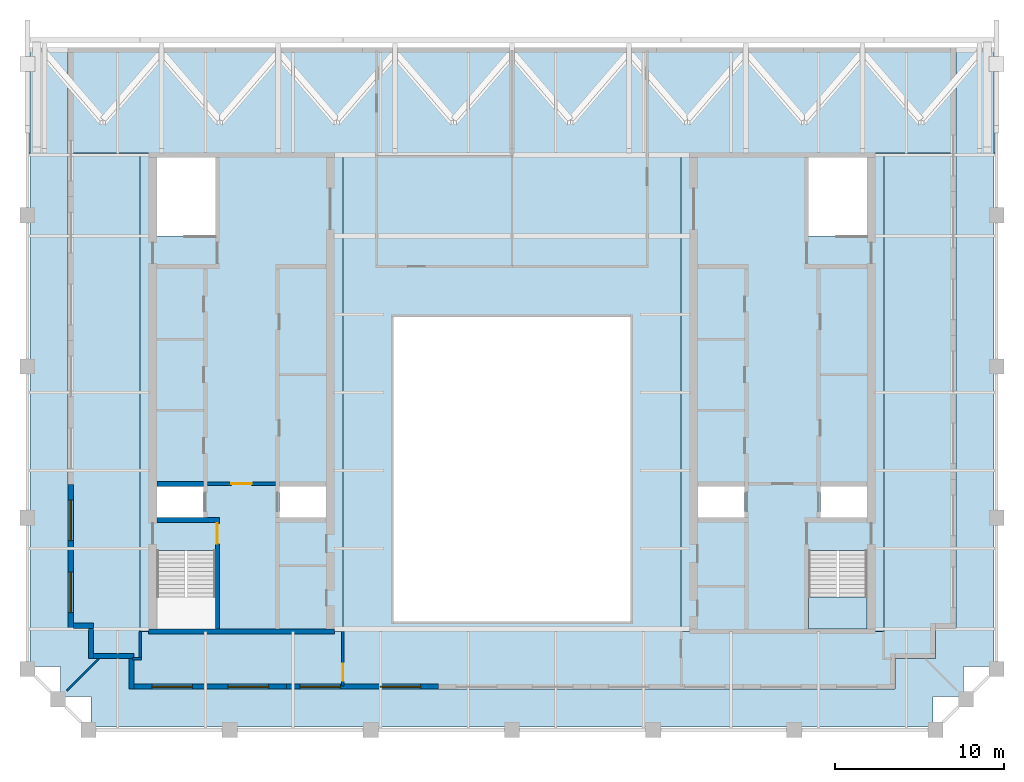
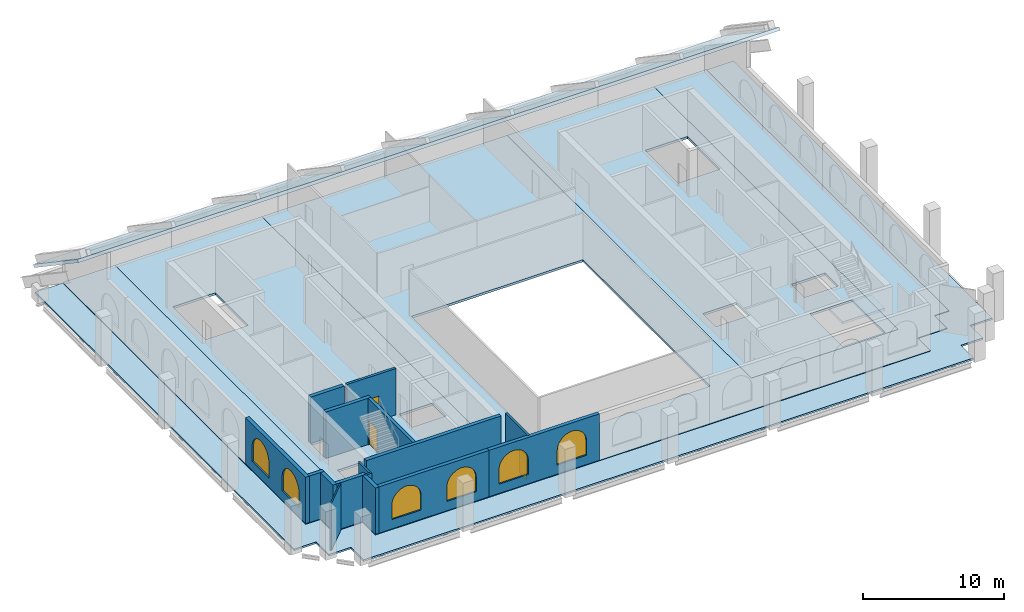
# One storey, part 2 of 7: 16 walls, 6 slabs, 6 windows, 3 doors, 9 openings, 1 element without a shape of its own.
"""IFC4 building model written with IfcOpenShell, lengths in metres."""

from ifc_helpers import new_model, si_unit, direction, frame, frame_2d, origin, place, context, subcontext, project, spatial, polyline, rectangle, outline, extrude, material, layer, layer_set, type_object, element, fill, aggregate, save


model = new_model("IFC4")

# Units and contexts
model_context = context("Model", 3, precision=1e-05, world=origin(), true_north=direction((0.0, 1.0)))
body_context = subcontext(model_context, "Body", "Model", "MODEL_VIEW")
ifc_project = project(units=[si_unit("LENGTHUNIT", "METRE"), si_unit("AREAUNIT", "SQUARE_METRE"), si_unit("VOLUMEUNIT", "CUBIC_METRE"), si_unit("PLANEANGLEUNIT", "RADIAN"), si_unit("MASSUNIT", "GRAM", prefix="KILO")], contexts=[model_context])

# Site, building, storey
site_placement = place(None, origin())
site = spatial("IfcSite", under=ifc_project, at=site_placement, CompositionType="ELEMENT")
building_placement = place(site_placement, origin())
building = spatial("IfcBuilding", under=site, at=building_placement, Name="Ogive Exchange Tower", CompositionType="ELEMENT")
storey_placement = place(building_placement, frame((0.0, 0.0, 385.800048828125)))
storey = spatial("IfcBuildingStorey", under=building, at=storey_placement, Name="C05", CompositionType="ELEMENT", Elevation=385.800048828125)

# Slabs
ifc_material_1 = material(Name="Concrete C50/60", Category="concrete")
ifc_layer_1 = layer(ifc_material_1, 0.199951171875)
ifc_layer_set_1 = layer_set([ifc_layer_1], Name="Composite floor slab 200")
slab_type_1 = type_object("IfcSlabType", Name="Composite floor slab 200", PredefinedType="FLOOR", material=ifc_layer_set_1)
slab_1_placement = place(storey_placement, frame((0.0, 0.0, -0.199951171875)))
element("IfcSlab", 1, at=slab_1_placement, inside=storey, type_object=slab_type_1, Name="Composite floor slab", PredefinedType="FLOOR", context=body_context, shape_type="SweptSolid", body=[
    extrude(outline(polyline([(-24.449951171875, -2.39990234375), (-24.449951171875, -2.39990234375), (-26.25, -2.39990234375), (-26.25, 31.947509765625), (-22.0, 31.947509765625), (-22.0, -2.60009765625), (-10.0, -2.60009765625), (-10.0, 31.947509765625), (10.0, 31.947509765625), (10.0, -2.60009765625), (22.0, -2.60009765625), (22.0, 31.947509765625), (26.25, 31.947509765625), (26.25, -2.39990234375), (24.449951171875, -2.39990234375), (24.449951171875, -2.39990234375), (25.050048828125, -2.39990234375), (25.050048828125, -4.199951171875), (24.449951171875, -4.199951171875), (24.449951171875, -4.199951171875), (22.64990234375, -4.199951171875), (22.64990234375, -6.0), (-22.64990234375, -6.0), (-22.64990234375, -4.199951171875), (-24.449951171875, -4.199951171875), (-24.449951171875, -4.199951171875), (-25.050048828125, -4.199951171875), (-25.050048828125, -2.39990234375), (-24.449951171875, -2.39990234375)]), holes=[polyline([(7.0, -2.0), (7.0, 16.0), (-7.0, 16.0), (-7.0, -2.0), (7.0, -2.0)])]), origin(), (0.0, 0.0, 1.0), 0.199951171875),
])
ifc_material_2 = material(Name="Concrete C70/85", Category="concrete")
ifc_layer_2 = layer(ifc_material_2, 0.199951171875)
ifc_layer_set_2 = layer_set([ifc_layer_2], Name="Core floor slab 200")
slab_type_2 = type_object("IfcSlabType", Name="Core floor slab 200", PredefinedType="FLOOR", material=ifc_layer_set_2)
slab_2_placement = place(storey_placement, frame((0.0, 0.0, -0.199951171875)))
element("IfcSlab", 2, at=slab_2_placement, inside=storey, type_object=slab_type_2, Name="Core floor slab", PredefinedType="FLOOR", context=body_context, shape_type="SweptSolid", body=[
    extrude(outline(polyline([(-22.0, -2.60009765625), (-22.0, 31.947509765625), (-10.0, 31.947509765625), (-10.0, -2.60009765625), (-22.0, -2.60009765625)]), holes=[polyline([(-17.550048828125, 2.196044921875), (-21.0, 2.196044921875), (-21.0, -2.449951171875), (-17.550048828125, -2.449951171875), (-17.550048828125, 2.196044921875)]), polyline([(-21.0, 5.992919921875), (-21.0, 4.14990234375), (-18.25, 4.14990234375), (-18.25, 5.992919921875), (-21.0, 5.992919921875)]), polyline([(-13.75, 5.992919921875), (-13.75, 4.14990234375), (-11.0, 4.14990234375), (-11.0, 5.992919921875), (-13.75, 5.992919921875)]), polyline([(-21.0, 20.803955078125), (-17.550048828125, 20.803955078125), (-17.550048828125, 25.449951171875), (-21.0, 25.449951171875), (-21.0, 20.803955078125)])]), origin(), (0.0, 0.0, 1.0), 0.199951171875),
])
slab_3_placement = place(storey_placement, frame((0.0, 0.0, -0.199951171875)))
element("IfcSlab", 3, at=slab_3_placement, inside=storey, type_object=slab_type_2, Name="Core floor slab", PredefinedType="FLOOR", context=body_context, shape_type="SweptSolid", body=[
    extrude(outline(polyline([(10.0, -2.60009765625), (10.0, 31.947509765625), (22.0, 31.947509765625), (22.0, -2.60009765625), (10.0, -2.60009765625)]), holes=[polyline([(21.0, 2.196044921875), (17.550048828125, 2.196044921875), (17.550048828125, -2.449951171875), (21.0, -2.449951171875), (21.0, 2.196044921875)]), polyline([(11.0, 5.992919921875), (11.0, 4.14990234375), (13.75, 4.14990234375), (13.75, 5.992919921875), (11.0, 5.992919921875)]), polyline([(18.25, 5.992919921875), (18.25, 4.14990234375), (21.0, 4.14990234375), (21.0, 5.992919921875), (18.25, 5.992919921875)]), polyline([(17.550048828125, 20.803955078125), (21.0, 20.803955078125), (21.0, 25.449951171875), (17.550048828125, 25.449951171875), (17.550048828125, 20.803955078125)])]), origin(), (0.0, 0.0, 1.0), 0.199951171875),
])
ifc_material_3 = material(Name="Precast concrete C40/50", Category="concrete")
ifc_layer_3 = layer(ifc_material_3, 0.25)
ifc_layer_set_3 = layer_set([ifc_layer_3], Name="Crown roof plane 250")
slab_type_3 = type_object("IfcSlabType", Name="Crown roof plane 250", PredefinedType="ROOF", material=ifc_layer_set_3)
slab_4_placement = place(storey_placement, frame((-28.64990234375, 25.720947265625, 6.599853515625), z_axis=(0.0, 0.559200383069, 0.829032527453), x_axis=(0.0, 0.829032527453, -0.559200383069)))
element("IfcSlab", 4, at=slab_4_placement, inside=storey, type_object=slab_type_3, Name="Crown roof plane", PredefinedType="ROOF", context=body_context, shape_type="SweptSolid", body=[
    extrude(outline(polyline([(0.0, 0.0), (7.510637150904072, 0.0), (7.510637150904072, -57.2998046875), (0.0, -57.2998046875), (0.0, 0.0)])), origin(), (0.0, 0.0, -1.0), 0.25),
])
ifc_layer_4 = layer(ifc_material_1, 0.14990234375)
ifc_layer_set_4 = layer_set([ifc_layer_4], Name="Loggia deck 150")
slab_type_4 = type_object("IfcSlabType", Name="Loggia deck 150", PredefinedType="FLOOR", material=ifc_layer_set_4)
slab_5_placement = place(storey_placement, frame((0.0, 0.0, -0.199951171875)))
element("IfcSlab", 5, at=slab_5_placement, inside=storey, type_object=slab_type_4, Name="Loggia deck", PredefinedType="FLOOR", context=body_context, shape_type="SweptSolid", body=[
    extrude(outline(polyline([(-26.695068359375, -4.64501953125), (-28.4951171875, -4.64501953125), (-28.4951171875, 31.947509765625), (-26.25, 31.947509765625), (-26.25, -2.39990234375), (-24.449951171875, -2.39990234375), (-24.449951171875, -2.39990234375), (-25.050048828125, -2.39990234375), (-25.050048828125, -4.199951171875), (-24.449951171875, -4.199951171875), (-24.449951171875, -4.199951171875), (-22.64990234375, -4.199951171875), (-22.64990234375, -6.0), (22.64990234375, -6.0), (22.64990234375, -4.199951171875), (24.449951171875, -4.199951171875), (24.449951171875, -4.199951171875), (25.050048828125, -4.199951171875), (25.050048828125, -2.39990234375), (24.449951171875, -2.39990234375), (24.449951171875, -2.39990234375), (26.25, -2.39990234375), (26.25, 31.947509765625), (28.4951171875, 31.947509765625), (28.4951171875, -4.64501953125), (26.695068359375, -4.64501953125), (26.695068359375, -6.445068359375), (24.89501953125, -6.445068359375), (24.89501953125, -8.2451171875), (-24.89501953125, -8.2451171875), (-24.89501953125, -6.445068359375), (-26.695068359375, -6.445068359375), (-26.695068359375, -4.64501953125)])), origin(), (0.0, 0.0, 1.0), 0.14990234375),
])

# Stair, slab
ifc_material_4 = material(Name="Concrete C40/50", Category="concrete")
stair_type = type_object("IfcStairType", Name="Exit stair 1650 wide", PredefinedType="HALF_TURN_STAIR", material=ifc_material_4)
stair_placement = place(storey_placement, origin())
stair = element("IfcStair", 6, at=stair_placement, inside=storey, type_object=stair_type, Name="C05 exit stair ST3", PredefinedType="HALF_TURN_STAIR")
ifc_layer_5 = layer(ifc_material_4, 0.199951171875)
ifc_layer_set_5 = layer_set([ifc_layer_5], Name="Stair landing 200 slab")
slab_type_5 = type_object("IfcSlabType", Name="Stair landing 200 slab", PredefinedType="LANDING", material=ifc_layer_set_5)
slab_6_placement = place(storey_placement, frame((0.0, 0.0, 1.89990234375)))
slab_6 = element("IfcSlab", 7, at=slab_6_placement, type_object=slab_type_5, Name="ST3 landing 1", PredefinedType="LANDING", context=body_context, shape_type="SweptSolid", body=[
    extrude(outline(polyline([(17.550048828125, -0.550048828125), (17.550048828125, -2.449951171875), (21.0, -2.449951171875), (21.0, -0.550048828125), (17.550048828125, -0.550048828125)])), origin(), (0.0, 0.0, 1.0), 0.199951171875),
])
aggregate(stair, [slab_6])

# Walls
ifc_material_5 = material(Name="Fire partition EI 60 150")
ifc_layer_6 = layer(ifc_material_5, 0.14990234375)
ifc_layer_set_6 = layer_set([ifc_layer_6], Name="Fire partition EI 60 150")
wall_type_1 = type_object("IfcWallType", Name="Fire partition EI 60 150", PredefinedType="PARTITIONING", material=ifc_layer_set_6)
wall_1_placement = place(storey_placement, frame((-21.925048828125, -4.199951171875, 0.0), z_axis=(0.0, 0.0, 1.0), x_axis=(-1.0, 0.0, 0.0)))
element("IfcWall", 8, at=wall_1_placement, inside=storey, type_object=wall_type_1, Name="C05-PWL-001", PredefinedType="PARTITIONING", context=body_context, shape_type="SweptSolid", body=[
    extrude(rectangle(XDim=0.52490234375, YDim=0.14990234375, at=frame_2d((0.262451171875, 0.0))), origin(), (0.0, 0.0, 1.0), 4.0),
])
wall_2_placement = place(storey_placement, frame((-22.0, -2.60009765625, 0.0), z_axis=(0.0, 0.0, 1.0), x_axis=(0.0, -1.0, 0.0)))
element("IfcWall", 9, at=wall_2_placement, inside=storey, type_object=wall_type_1, Name="C05-PWL-002", PredefinedType="PARTITIONING", context=body_context, shape_type="SweptSolid", body=[
    extrude(rectangle(XDim=1.52490234375, YDim=0.14990234375, at=frame_2d((0.762451171875, 0.0))), origin(), (0.0, 0.0, 1.0), 4.0),
])

# Wall, opening, door
wall_3_placement = place(storey_placement, frame((-10.0, -5.800048828125, 0.0), z_axis=(0.0, 0.0, 1.0), x_axis=(0.0, 1.0, 0.0)))
wall_3 = element("IfcWall", 10, at=wall_3_placement, inside=storey, type_object=wall_type_1, Name="C05-PWL-003", PredefinedType="PARTITIONING", context=body_context, shape_type="SweptSolid", body=[
    extrude(rectangle(XDim=3.199951171875, YDim=0.14990234375, at=frame_2d((1.60009765625, 0.0))), origin(), (0.0, 0.0, 1.0), 4.0),
])
opening_1_placement = place(wall_3_placement, frame((0.300048828125, 0.0, 0.0)))
opening_1 = element("IfcOpeningElement", 11, at=opening_1_placement, cuts=wall_3, Name="Opening C05-I04", PredefinedType="OPENING", context=body_context, shape_type="SweptSolid", body=[
    extrude(rectangle(XDim=1.0, YDim=2.10009765625, at=frame_2d((0.5, 1.050048828125))), frame((0.0, 0.0849609375, 0.0), z_axis=(0.0, -1.0, 0.0), x_axis=(1.0, 0.0, 0.0)), (0.0, 0.0, 1.0), 0.169921875),
])
ifc_material_6 = material(Name="Fire door FD 30S 1000 x 2100")
door_type_1 = type_object("IfcDoorType", Name="Fire door FD 30S 1000 x 2100", OperationType="NOTDEFINED", PredefinedType="DOOR", material=ifc_material_6)
door_1_placement = place(opening_1_placement, origin())
door_1 = element("IfcDoor", 12, at=door_1_placement, inside=storey, type_object=door_type_1, Name="C05-IDR-004", ObjectType="DT3", OperationType="SINGLE_SWING_RIGHT", OverallHeight=2.10009765625, OverallWidth=1.0, PredefinedType="DOOR", context=body_context, shape_type="SweptSolid", body=[
    extrude(rectangle(XDim=1.0, YDim=2.10009765625, at=frame_2d((0.5, 1.050048828125))), frame((0.0, 0.02490234375, 0.0), z_axis=(0.0, -1.0, 0.0), x_axis=(1.0, 0.0, 0.0)), (0.0, 0.0, 1.0), 0.050048828125),
])
fill(opening_1, door_1)

# Wall
ifc_material_7 = material(Name="Laminated safety glass in steel frame", Category="steel")
ifc_layer_7 = layer(ifc_material_7, 0.10009765625)
ifc_layer_set_7 = layer_set([ifc_layer_7], Name="Loggia end screen 100")
wall_type_2 = type_object("IfcWallType", Name="Loggia end screen 100", PredefinedType="STANDARD", material=ifc_layer_set_7)
wall_4_placement = place(storey_placement, frame((-24.449951171875, -4.199951171875, -0.050048828125), z_axis=(0.0, 0.0, 1.0), x_axis=(-0.707106781187, -0.707106781187, 0.0)))
element("IfcWall", 13, at=wall_4_placement, inside=storey, type_object=wall_type_2, Name="Loggia end screen C4", PredefinedType="STANDARD", context=body_context, shape_type="SweptSolid", body=[
    extrude(rectangle(XDim=2.667236328125, YDim=0.10009765625, at=frame_2d((1.33349609375, 0.0))), origin(), (0.0, 0.0, 1.0), 4.050048828125),
])

# Wall, opening, door
ifc_layer_8 = layer(ifc_material_2, 0.199951171875)
ifc_layer_set_8 = layer_set([ifc_layer_8], Name="RC core wall 200 C70/85")
wall_type_3 = type_object("IfcWallType", Name="RC core wall 200 C70/85", PredefinedType="SHEAR", material=ifc_layer_set_8)
wall_5_placement = place(storey_placement, frame((-18.0, 6.142822265625, 0.0), z_axis=(0.0, 0.0, 1.0), x_axis=(1.0, 0.0, 0.0)))
wall_5 = element("IfcWall", 14, at=wall_5_placement, inside=storey, type_object=wall_type_3, Name="W firefighting lobby wall", PredefinedType="SHEAR", context=body_context, shape_type="SweptSolid", body=[
    extrude(rectangle(XDim=4.0, YDim=0.199951171875, at=frame_2d((2.0, 0.0))), origin(), (0.0, 0.0, 1.0), 4.0),
])
opening_2_placement = place(wall_5_placement, frame((1.39990234375, 0.0, 0.0)))
opening_2 = element("IfcOpeningElement", 15, at=opening_2_placement, cuts=wall_5, Name="Opening C05-C08", PredefinedType="OPENING", context=body_context, shape_type="SweptSolid", body=[
    extrude(rectangle(XDim=1.199951171875, YDim=2.10009765625, at=frame_2d((0.60009765625, 1.050048828125))), frame((0.0, 0.10986328125, 0.0), z_axis=(0.0, -1.0, 0.0), x_axis=(1.0, 0.0, 0.0)), (0.0, 0.0, 1.0), 0.219970703125),
])
ifc_material_8 = material(Name="Steel fire door", Category="steel")
door_type_2 = type_object("IfcDoorType", Name="Firefighting lobby door FD60 1200 x 2100", OperationType="NOTDEFINED", PredefinedType="DOOR", material=ifc_material_8)
door_2_placement = place(opening_2_placement, frame((1.199951171875, 0.0, 0.0), z_axis=(0.0, 0.0, 1.0), x_axis=(-1.0, 0.0, 0.0)))
door_2 = element("IfcDoor", 16, at=door_2_placement, inside=storey, type_object=door_type_2, Name="Firefighting lobby door", ObjectType="CD3", OperationType="SINGLE_SWING_LEFT", OverallHeight=2.10009765625, OverallWidth=1.199951171875, PredefinedType="DOOR", context=body_context, shape_type="SweptSolid", body=[
    extrude(rectangle(XDim=1.199951171875, YDim=2.10009765625, at=frame_2d((0.60009765625, 1.050048828125))), frame((0.0, 0.02490234375, 0.0), z_axis=(0.0, -1.0, 0.0), x_axis=(1.0, 0.0, 0.0)), (0.0, 0.0, 1.0), 0.050048828125),
])
fill(opening_2, door_2)

ifc_layer_9 = layer(ifc_material_2, 0.25)
ifc_layer_set_9 = layer_set([ifc_layer_9], Name="RC core wall 250 C70/85")
wall_type_4 = type_object("IfcWallType", Name="RC core wall 250 C70/85", PredefinedType="SHEAR", material=ifc_layer_set_9)
wall_6_placement = place(storey_placement, frame((-17.425048828125, -2.449951171875, 0.0), z_axis=(0.0, 0.0, 1.0), x_axis=(0.0, 1.0, 0.0)))
wall_6 = element("IfcWall", 17, at=wall_6_placement, inside=storey, type_object=wall_type_4, Name="W stair S front wall", PredefinedType="SHEAR", context=body_context, shape_type="SweptSolid", body=[
    extrude(rectangle(XDim=6.300048828125, YDim=0.25, at=frame_2d((3.14990234375, 0.0))), origin(), (0.0, 0.0, 1.0), 4.0),
])
opening_3_placement = place(wall_6_placement, frame((5.050048828125, 0.0, 0.0)))
opening_3 = element("IfcOpeningElement", 18, at=opening_3_placement, cuts=wall_6, Name="Opening C05-C10", PredefinedType="OPENING", context=body_context, shape_type="SweptSolid", body=[
    extrude(rectangle(XDim=1.199951171875, YDim=2.10009765625, at=frame_2d((0.60009765625, 1.050048828125))), frame((0.0, 0.135009765625, 0.0), z_axis=(0.0, -1.0, 0.0), x_axis=(1.0, 0.0, 0.0)), (0.0, 0.0, 1.0), 0.27001953125),
])
door_type_3 = type_object("IfcDoorType", Name="Stair door FD90 1200 x 2100", OperationType="NOTDEFINED", PredefinedType="DOOR", material=ifc_material_8)
door_3_placement = place(opening_3_placement, origin())
door_3 = element("IfcDoor", 19, at=door_3_placement, inside=storey, type_object=door_type_3, Name="Stair door", ObjectType="CD5", OperationType="SINGLE_SWING_LEFT", OverallHeight=2.10009765625, OverallWidth=1.199951171875, PredefinedType="DOOR", context=body_context, shape_type="SweptSolid", body=[
    extrude(rectangle(XDim=1.199951171875, YDim=2.10009765625, at=frame_2d((0.60009765625, 1.050048828125))), frame((0.0, 0.02490234375, 0.0), z_axis=(0.0, -1.0, 0.0), x_axis=(1.0, 0.0, 0.0)), (0.0, 0.0, 1.0), 0.050048828125),
])
fill(opening_3, door_3)

# Walls
ifc_layer_10 = layer(ifc_material_2, 0.300048828125)
ifc_layer_set_10 = layer_set([ifc_layer_10], Name="RC core wall 300 C70/85")
wall_type_5 = type_object("IfcWallType", Name="RC core wall 300 C70/85", PredefinedType="SHEAR", material=ifc_layer_set_10)
wall_7_placement = place(storey_placement, frame((-21.5, -2.60009765625, 0.0), z_axis=(0.0, 0.0, 1.0), x_axis=(1.0, 0.0, 0.0)))
element("IfcWall", 20, at=wall_7_placement, inside=storey, type_object=wall_type_5, Name="W south end wall", PredefinedType="SHEAR", context=body_context, shape_type="SweptSolid", body=[
    extrude(rectangle(XDim=11.0, YDim=0.300048828125, at=frame_2d((5.5, 0.0))), origin(), (0.0, 0.0, 1.0), 4.0),
])
wall_8_placement = place(storey_placement, frame((-21.0, 4.0, 0.0), z_axis=(0.0, 0.0, 1.0), x_axis=(1.0, 0.0, 0.0)))
element("IfcWall", 21, at=wall_8_placement, inside=storey, type_object=wall_type_5, Name="W stair S north wall", PredefinedType="SHEAR", context=body_context, shape_type="SweptSolid", body=[
    extrude(rectangle(XDim=3.699951171875, YDim=0.300048828125, at=frame_2d((1.85009765625, 0.0))), origin(), (0.0, 0.0, 1.0), 4.0),
])
wall_9_placement = place(storey_placement, frame((-21.0, 6.142822265625, 0.0), z_axis=(0.0, 0.0, 1.0), x_axis=(1.0, 0.0, 0.0)))
element("IfcWall", 22, at=wall_9_placement, inside=storey, type_object=wall_type_5, Name="W row A divider 1", PredefinedType="SHEAR", context=body_context, shape_type="SweptSolid", body=[
    extrude(rectangle(XDim=2.75, YDim=0.300048828125, at=frame_2d((1.375, 0.0))), origin(), (0.0, 0.0, 1.0), 4.0),
])
ifc_layer_11 = layer(ifc_material_3, 0.300048828125)
ifc_layer_set_11 = layer_set([ifc_layer_11], Name="Zinc-clad crown wall 300")
wall_type_6 = type_object("IfcWallType", Name="Zinc-clad crown wall 300", PredefinedType="STANDARD", material=ifc_layer_set_11)
wall_10_placement = place(storey_placement, frame((-24.89990234375, -2.39990234375, 0.0), z_axis=(0.0, 0.0, 1.0), x_axis=(0.0, -1.0, 0.0)))
element("IfcWall", 23, at=wall_10_placement, inside=storey, type_object=wall_type_6, Name="Crown wall 1", PredefinedType="STANDARD", context=body_context, shape_type="SweptSolid", body=[
    extrude(rectangle(XDim=1.800048828125, YDim=0.300048828125, at=frame_2d((0.89990234375, 0.0))), origin(), (0.0, 0.0, 1.0), 4.0),
])
wall_11_placement = place(storey_placement, frame((-24.75, -4.050048828125, 0.0), z_axis=(0.0, 0.0, 1.0), x_axis=(1.0, 0.0, 0.0)))
element("IfcWall", 24, at=wall_11_placement, inside=storey, type_object=wall_type_6, Name="Crown wall 2", PredefinedType="STANDARD", context=body_context, shape_type="SweptSolid", body=[
    extrude(rectangle(XDim=2.39990234375, YDim=0.300048828125, at=frame_2d((1.199951171875, 0.0))), origin(), (0.0, 0.0, 1.0), 4.0),
])
wall_12_placement = place(storey_placement, frame((-22.5, -4.199951171875, 0.0), z_axis=(0.0, 0.0, 1.0), x_axis=(0.0, -1.0, 0.0)))
element("IfcWall", 25, at=wall_12_placement, inside=storey, type_object=wall_type_6, Name="Crown wall 3", PredefinedType="STANDARD", context=body_context, shape_type="SweptSolid", body=[
    extrude(rectangle(XDim=1.800048828125, YDim=0.300048828125, at=frame_2d((0.89990234375, 0.0))), origin(), (0.0, 0.0, 1.0), 4.0),
])

# Wall, openings, windows
wall_13_placement = place(storey_placement, frame((-22.35009765625, -5.85009765625, 0.0), z_axis=(0.0, 0.0, 1.0), x_axis=(1.0, 0.0, 0.0)))
wall_13 = element("IfcWall", 26, at=wall_13_placement, inside=storey, type_object=wall_type_6, Name="Crown wall 4", PredefinedType="STANDARD", context=body_context, shape_type="SweptSolid", body=[
    extrude(rectangle(XDim=9.0, YDim=0.300048828125, at=frame_2d((4.5, 0.0))), origin(), (0.0, 0.0, 1.0), 4.0),
])
opening_4_placement = place(wall_13_placement, frame((1.050048828125, 0.0, 0.800048828125)))
opening_4 = element("IfcOpeningElement", 27, at=opening_4_placement, cuts=wall_13, Name="Opening WC25", PredefinedType="OPENING", context=body_context, shape_type="SweptSolid", body=[
    extrude(outline(polyline([(0.0, 0.0), (2.39990234375, 0.0), (2.39990234375, 1.25), (2.377197265625, 1.48779296875), (2.3095703125, 1.717041015625), (2.19970703125, 1.928955078125), (2.05126953125, 2.116455078125), (1.8701171875, 2.272216796875), (1.662841796875, 2.390625), (1.4365234375, 2.467529296875), (1.199951171875, 2.5), (0.96337890625, 2.467529296875), (0.737060546875, 2.390625), (0.52978515625, 2.272216796875), (0.3486328125, 2.116455078125), (0.2001953125, 1.928955078125), (0.09033203125, 1.717041015625), (0.022705078125, 1.48779296875), (0.0, 1.25), (0.0, 0.0)])), frame((0.0, 0.159912109375, 0.0), z_axis=(0.0, -1.0, 0.0), x_axis=(1.0, 0.0, 0.0)), (0.0, 0.0, 1.0), 0.320068359375),
])
opening_5_placement = place(wall_13_placement, frame((5.550048828125, 0.0, 0.800048828125)))
opening_5 = element("IfcOpeningElement", 28, at=opening_5_placement, cuts=wall_13, Name="Opening WC25", PredefinedType="OPENING", context=body_context, shape_type="SweptSolid", body=[
    extrude(outline(polyline([(0.0, 0.0), (2.39990234375, 0.0), (2.39990234375, 1.25), (2.377197265625, 1.48779296875), (2.3095703125, 1.717041015625), (2.19970703125, 1.928955078125), (2.05126953125, 2.116455078125), (1.8701171875, 2.272216796875), (1.662841796875, 2.390625), (1.4365234375, 2.467529296875), (1.199951171875, 2.5), (0.96337890625, 2.467529296875), (0.737060546875, 2.390625), (0.52978515625, 2.272216796875), (0.3486328125, 2.116455078125), (0.2001953125, 1.928955078125), (0.09033203125, 1.717041015625), (0.022705078125, 1.48779296875), (0.0, 1.25), (0.0, 0.0)])), frame((0.0, 0.159912109375, 0.0), z_axis=(0.0, -1.0, 0.0), x_axis=(1.0, 0.0, 0.0)), (0.0, 0.0, 1.0), 0.320068359375),
])
ifc_material_9 = material(Name="Clear glass in bronze frame", Category="glass")
window_type = type_object("IfcWindowType", Name="Crown lancet window 2400 x 2500", PartitioningType="DOUBLE_PANEL_VERTICAL", PredefinedType="WINDOW", material=ifc_material_9)
window_1_placement = place(opening_4_placement, origin())
window_1 = element("IfcWindow", 29, at=window_1_placement, inside=storey, type_object=window_type, Name="Crown lancet 4.1", OverallHeight=2.5, OverallWidth=2.39990234375, PartitioningType="DOUBLE_PANEL_VERTICAL", PredefinedType="WINDOW", context=body_context, shape_type="SweptSolid", body=[
    extrude(outline(polyline([(0.0, 0.0), (2.39990234375, 0.0), (2.39990234375, 1.25), (2.377197265625, 1.48779296875), (2.3095703125, 1.717041015625), (2.19970703125, 1.928955078125), (2.05126953125, 2.116455078125), (1.8701171875, 2.272216796875), (1.662841796875, 2.390625), (1.4365234375, 2.467529296875), (1.199951171875, 2.5), (0.96337890625, 2.467529296875), (0.737060546875, 2.390625), (0.52978515625, 2.272216796875), (0.3486328125, 2.116455078125), (0.2001953125, 1.928955078125), (0.09033203125, 1.717041015625), (0.022705078125, 1.48779296875), (0.0, 1.25), (0.0, 0.0)])), frame((0.0, 0.030029296875, 0.0), z_axis=(0.0, -1.0, 0.0), x_axis=(1.0, 0.0, 0.0)), (0.0, 0.0, 1.0), 0.06005859375),
])
fill(opening_4, window_1)
window_2_placement = place(opening_5_placement, origin())
window_2 = element("IfcWindow", 30, at=window_2_placement, inside=storey, type_object=window_type, Name="Crown lancet 4.2", OverallHeight=2.5, OverallWidth=2.39990234375, PartitioningType="DOUBLE_PANEL_VERTICAL", PredefinedType="WINDOW", context=body_context, shape_type="SweptSolid", body=[
    extrude(outline(polyline([(0.0, 0.0), (2.39990234375, 0.0), (2.39990234375, 1.25), (2.377197265625, 1.48779296875), (2.3095703125, 1.717041015625), (2.19970703125, 1.928955078125), (2.05126953125, 2.116455078125), (1.8701171875, 2.272216796875), (1.662841796875, 2.390625), (1.4365234375, 2.467529296875), (1.199951171875, 2.5), (0.96337890625, 2.467529296875), (0.737060546875, 2.390625), (0.52978515625, 2.272216796875), (0.3486328125, 2.116455078125), (0.2001953125, 1.928955078125), (0.09033203125, 1.717041015625), (0.022705078125, 1.48779296875), (0.0, 1.25), (0.0, 0.0)])), frame((0.0, 0.030029296875, 0.0), z_axis=(0.0, -1.0, 0.0), x_axis=(1.0, 0.0, 0.0)), (0.0, 0.0, 1.0), 0.06005859375),
])
fill(opening_5, window_2)

wall_14_placement = place(storey_placement, frame((-13.35009765625, -5.85009765625, 0.0), z_axis=(0.0, 0.0, 1.0), x_axis=(1.0, 0.0, 0.0)))
wall_14 = element("IfcWall", 31, at=wall_14_placement, inside=storey, type_object=wall_type_6, Name="Crown wall 5", PredefinedType="STANDARD", context=body_context, shape_type="SweptSolid", body=[
    extrude(rectangle(XDim=9.0, YDim=0.300048828125, at=frame_2d((4.5, 0.0))), origin(), (0.0, 0.0, 1.0), 4.0),
])
opening_6_placement = place(wall_14_placement, frame((0.800048828125, 0.0, 0.800048828125)))
opening_6 = element("IfcOpeningElement", 32, at=opening_6_placement, cuts=wall_14, Name="Opening WC25", PredefinedType="OPENING", context=body_context, shape_type="SweptSolid", body=[
    extrude(outline(polyline([(0.0, 0.0), (2.39990234375, 0.0), (2.39990234375, 1.25), (2.377197265625, 1.48779296875), (2.3095703125, 1.717041015625), (2.19970703125, 1.928955078125), (2.05126953125, 2.116455078125), (1.8701171875, 2.272216796875), (1.662841796875, 2.390625), (1.4365234375, 2.467529296875), (1.199951171875, 2.5), (0.96337890625, 2.467529296875), (0.737060546875, 2.390625), (0.52978515625, 2.272216796875), (0.3486328125, 2.116455078125), (0.2001953125, 1.928955078125), (0.09033203125, 1.717041015625), (0.022705078125, 1.48779296875), (0.0, 1.25), (0.0, 0.0)])), frame((0.0, 0.159912109375, 0.0), z_axis=(0.0, -1.0, 0.0), x_axis=(1.0, 0.0, 0.0)), (0.0, 0.0, 1.0), 0.320068359375),
])
opening_7_placement = place(wall_14_placement, frame((5.550048828125, 0.0, 0.800048828125)))
opening_7 = element("IfcOpeningElement", 33, at=opening_7_placement, cuts=wall_14, Name="Opening WC25", PredefinedType="OPENING", context=body_context, shape_type="SweptSolid", body=[
    extrude(outline(polyline([(0.0, 0.0), (2.39990234375, 0.0), (2.39990234375, 1.25), (2.377197265625, 1.48779296875), (2.3095703125, 1.717041015625), (2.19970703125, 1.928955078125), (2.05126953125, 2.116455078125), (1.8701171875, 2.272216796875), (1.662841796875, 2.390625), (1.4365234375, 2.467529296875), (1.199951171875, 2.5), (0.96337890625, 2.467529296875), (0.737060546875, 2.390625), (0.52978515625, 2.272216796875), (0.3486328125, 2.116455078125), (0.2001953125, 1.928955078125), (0.09033203125, 1.717041015625), (0.022705078125, 1.48779296875), (0.0, 1.25), (0.0, 0.0)])), frame((0.0, 0.159912109375, 0.0), z_axis=(0.0, -1.0, 0.0), x_axis=(1.0, 0.0, 0.0)), (0.0, 0.0, 1.0), 0.320068359375),
])
window_3_placement = place(opening_6_placement, origin())
window_3 = element("IfcWindow", 34, at=window_3_placement, inside=storey, type_object=window_type, Name="Crown lancet 5.1", OverallHeight=2.5, OverallWidth=2.39990234375, PartitioningType="DOUBLE_PANEL_VERTICAL", PredefinedType="WINDOW", context=body_context, shape_type="SweptSolid", body=[
    extrude(outline(polyline([(0.0, 0.0), (2.39990234375, 0.0), (2.39990234375, 1.25), (2.377197265625, 1.48779296875), (2.3095703125, 1.717041015625), (2.19970703125, 1.928955078125), (2.05126953125, 2.116455078125), (1.8701171875, 2.272216796875), (1.662841796875, 2.390625), (1.4365234375, 2.467529296875), (1.199951171875, 2.5), (0.96337890625, 2.467529296875), (0.737060546875, 2.390625), (0.52978515625, 2.272216796875), (0.3486328125, 2.116455078125), (0.2001953125, 1.928955078125), (0.09033203125, 1.717041015625), (0.022705078125, 1.48779296875), (0.0, 1.25), (0.0, 0.0)])), frame((0.0, 0.030029296875, 0.0), z_axis=(0.0, -1.0, 0.0), x_axis=(1.0, 0.0, 0.0)), (0.0, 0.0, 1.0), 0.06005859375),
])
fill(opening_6, window_3)
window_4_placement = place(opening_7_placement, origin())
window_4 = element("IfcWindow", 35, at=window_4_placement, inside=storey, type_object=window_type, Name="Crown lancet 5.2", OverallHeight=2.5, OverallWidth=2.39990234375, PartitioningType="DOUBLE_PANEL_VERTICAL", PredefinedType="WINDOW", context=body_context, shape_type="SweptSolid", body=[
    extrude(outline(polyline([(0.0, 0.0), (2.39990234375, 0.0), (2.39990234375, 1.25), (2.377197265625, 1.48779296875), (2.3095703125, 1.717041015625), (2.19970703125, 1.928955078125), (2.05126953125, 2.116455078125), (1.8701171875, 2.272216796875), (1.662841796875, 2.390625), (1.4365234375, 2.467529296875), (1.199951171875, 2.5), (0.96337890625, 2.467529296875), (0.737060546875, 2.390625), (0.52978515625, 2.272216796875), (0.3486328125, 2.116455078125), (0.2001953125, 1.928955078125), (0.09033203125, 1.717041015625), (0.022705078125, 1.48779296875), (0.0, 1.25), (0.0, 0.0)])), frame((0.0, 0.030029296875, 0.0), z_axis=(0.0, -1.0, 0.0), x_axis=(1.0, 0.0, 0.0)), (0.0, 0.0, 1.0), 0.06005859375),
])
fill(opening_7, window_4)

wall_15_placement = place(storey_placement, frame((-26.10009765625, 6.11181640625, 0.0), z_axis=(0.0, 0.0, 1.0), x_axis=(0.0, -1.0, 0.0)))
wall_15 = element("IfcWall", 36, at=wall_15_placement, inside=storey, type_object=wall_type_6, Name="Crown wall 26", PredefinedType="STANDARD", context=body_context, shape_type="SweptSolid", body=[
    extrude(rectangle(XDim=8.51171875, YDim=0.300048828125, at=frame_2d((4.255859375, 0.0))), origin(), (0.0, 0.0, 1.0), 4.0),
])
opening_8_placement = place(wall_15_placement, frame((0.927978515625, 0.0, 0.800048828125)))
opening_8 = element("IfcOpeningElement", 37, at=opening_8_placement, cuts=wall_15, Name="Opening WC25", PredefinedType="OPENING", context=body_context, shape_type="SweptSolid", body=[
    extrude(outline(polyline([(0.0, 0.0), (2.39990234375, 0.0), (2.39990234375, 1.25), (2.377197265625, 1.48779296875), (2.3095703125, 1.717041015625), (2.19970703125, 1.928955078125), (2.05126953125, 2.116455078125), (1.8701171875, 2.272216796875), (1.662841796875, 2.390625), (1.4365234375, 2.467529296875), (1.199951171875, 2.5), (0.96337890625, 2.467529296875), (0.737060546875, 2.390625), (0.52978515625, 2.272216796875), (0.3486328125, 2.116455078125), (0.2001953125, 1.928955078125), (0.09033203125, 1.717041015625), (0.022705078125, 1.48779296875), (0.0, 1.25), (0.0, 0.0)])), frame((0.0, 0.159912109375, 0.0), z_axis=(0.0, -1.0, 0.0), x_axis=(1.0, 0.0, 0.0)), (0.0, 0.0, 1.0), 0.320068359375),
])
opening_9_placement = place(wall_15_placement, frame((5.183837890625, 0.0, 0.800048828125)))
opening_9 = element("IfcOpeningElement", 38, at=opening_9_placement, cuts=wall_15, Name="Opening WC25", PredefinedType="OPENING", context=body_context, shape_type="SweptSolid", body=[
    extrude(outline(polyline([(0.0, 0.0), (2.39990234375, 0.0), (2.39990234375, 1.25), (2.377197265625, 1.48779296875), (2.3095703125, 1.717041015625), (2.19970703125, 1.928955078125), (2.05126953125, 2.116455078125), (1.8701171875, 2.272216796875), (1.662841796875, 2.390625), (1.4365234375, 2.467529296875), (1.199951171875, 2.5), (0.96337890625, 2.467529296875), (0.737060546875, 2.390625), (0.52978515625, 2.272216796875), (0.3486328125, 2.116455078125), (0.2001953125, 1.928955078125), (0.09033203125, 1.717041015625), (0.022705078125, 1.48779296875), (0.0, 1.25), (0.0, 0.0)])), frame((0.0, 0.159912109375, 0.0), z_axis=(0.0, -1.0, 0.0), x_axis=(1.0, 0.0, 0.0)), (0.0, 0.0, 1.0), 0.320068359375),
])
window_5_placement = place(opening_8_placement, origin())
window_5 = element("IfcWindow", 39, at=window_5_placement, inside=storey, type_object=window_type, Name="Crown lancet 26.1", OverallHeight=2.5, OverallWidth=2.39990234375, PartitioningType="DOUBLE_PANEL_VERTICAL", PredefinedType="WINDOW", context=body_context, shape_type="SweptSolid", body=[
    extrude(outline(polyline([(0.0, 0.0), (2.39990234375, 0.0), (2.39990234375, 1.25), (2.377197265625, 1.48779296875), (2.3095703125, 1.717041015625), (2.19970703125, 1.928955078125), (2.05126953125, 2.116455078125), (1.8701171875, 2.272216796875), (1.662841796875, 2.390625), (1.4365234375, 2.467529296875), (1.199951171875, 2.5), (0.96337890625, 2.467529296875), (0.737060546875, 2.390625), (0.52978515625, 2.272216796875), (0.3486328125, 2.116455078125), (0.2001953125, 1.928955078125), (0.09033203125, 1.717041015625), (0.022705078125, 1.48779296875), (0.0, 1.25), (0.0, 0.0)])), frame((0.0, 0.030029296875, 0.0), z_axis=(0.0, -1.0, 0.0), x_axis=(1.0, 0.0, 0.0)), (0.0, 0.0, 1.0), 0.06005859375),
])
fill(opening_8, window_5)
window_6_placement = place(opening_9_placement, origin())
window_6 = element("IfcWindow", 40, at=window_6_placement, inside=storey, type_object=window_type, Name="Crown lancet 26.2", OverallHeight=2.5, OverallWidth=2.39990234375, PartitioningType="DOUBLE_PANEL_VERTICAL", PredefinedType="WINDOW", context=body_context, shape_type="SweptSolid", body=[
    extrude(outline(polyline([(0.0, 0.0), (2.39990234375, 0.0), (2.39990234375, 1.25), (2.377197265625, 1.48779296875), (2.3095703125, 1.717041015625), (2.19970703125, 1.928955078125), (2.05126953125, 2.116455078125), (1.8701171875, 2.272216796875), (1.662841796875, 2.390625), (1.4365234375, 2.467529296875), (1.199951171875, 2.5), (0.96337890625, 2.467529296875), (0.737060546875, 2.390625), (0.52978515625, 2.272216796875), (0.3486328125, 2.116455078125), (0.2001953125, 1.928955078125), (0.09033203125, 1.717041015625), (0.022705078125, 1.48779296875), (0.0, 1.25), (0.0, 0.0)])), frame((0.0, 0.030029296875, 0.0), z_axis=(0.0, -1.0, 0.0), x_axis=(1.0, 0.0, 0.0)), (0.0, 0.0, 1.0), 0.06005859375),
])
fill(opening_9, window_6)

# Wall
wall_16_placement = place(storey_placement, frame((-25.949951171875, -2.25, 0.0), z_axis=(0.0, 0.0, 1.0), x_axis=(1.0, 0.0, 0.0)))
element("IfcWall", 41, at=wall_16_placement, inside=storey, type_object=wall_type_6, Name="Crown wall 27", PredefinedType="STANDARD", context=body_context, shape_type="SweptSolid", body=[
    extrude(rectangle(XDim=1.199951171875, YDim=0.300048828125, at=frame_2d((0.60009765625, 0.0))), origin(), (0.0, 0.0, 1.0), 4.0),
])

save(model, "model.ifc")
